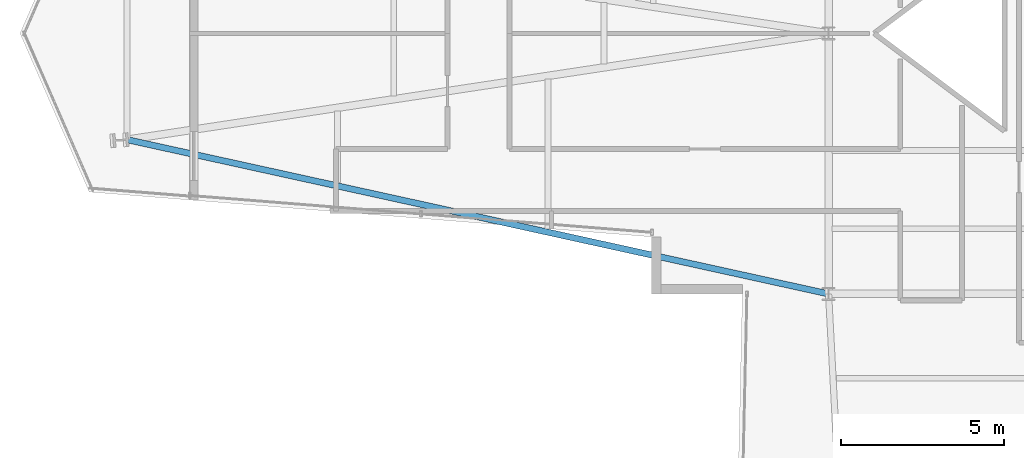
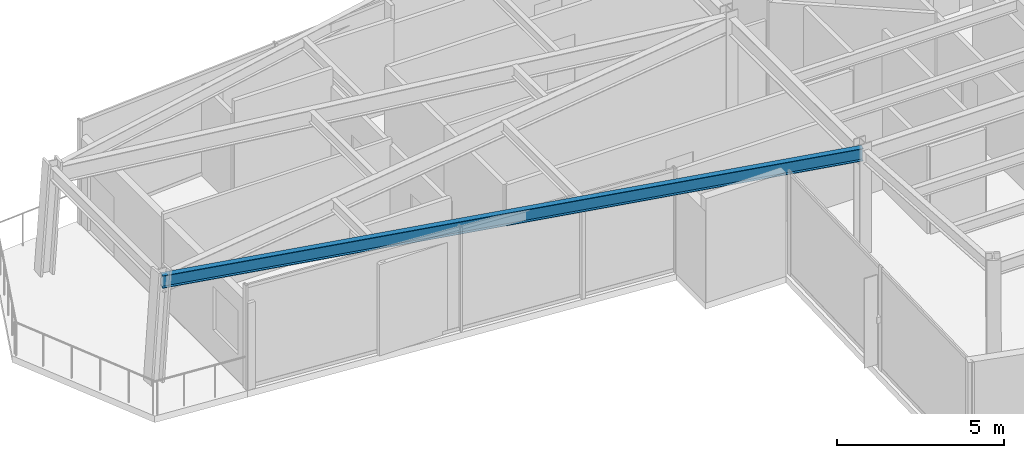
# One storey, part 3 of 26: 1 beam.
"""IFC4 building model written with IfcOpenShell, lengths in metres."""

import ifcopenshell
import ifcopenshell.guid

model = None  # the IFC model being written
_history = None  # IfcOwnerHistory: only IFC2X3 demands one
_inside = {}  # id of a spatial element -> (the spatial element, [elements in it])
_under = {}  # id of a project, library or spatial element -> (it, [spatial elements below it])
_declared = {}  # id of a project -> (the project, [libraries it declares])
_typed = {}  # id of a type object -> (the type object, [elements of that type])
_made_of = {}  # id of a material, layer set ... -> (it, [elements and type objects made of it])


def new_model(schema):
    """Start an empty IFC model of exactly this schema.

    Asked for "IFC4X3", IfcOpenShell would pick the latest addendum, in which some entities
    have other attributes; the version numbers below select the first issue.
    IFC2X3 requires an IfcOwnerHistory on every rooted entity: one is made here for all.
    """
    global model, _history
    if schema == "IFC4X3":
        model = ifcopenshell.file(schema_version=(4, 3, 0, 0))
    else:
        model = ifcopenshell.file(schema=schema)
    _inside.clear()
    _under.clear()
    _declared.clear()
    _typed.clear()
    _made_of.clear()
    _history = None
    if model.schema == "IFC2X3":
        org = make("IfcOrganization", Name="unknown")
        user = make(
            "IfcPersonAndOrganization",
            ThePerson=make("IfcPerson", FamilyName="unknown"),
            TheOrganization=org,
        )
        app = make(
            "IfcApplication",
            ApplicationDeveloper=org,
            Version="unknown",
            ApplicationFullName="unknown",
            ApplicationIdentifier="unknown",
        )
        _history = make(
            "IfcOwnerHistory",
            OwningUser=user,
            OwningApplication=app,
            ChangeAction="ADDED",
            CreationDate=0,
        )
    return model


def make(cls, **values):
    """One entity of the class cls with the attributes given. An attribute that is None is left unset."""
    return model.create_entity(
        cls, **{name: value for name, value in values.items() if value is not None}
    )


def rooted(cls, **values):
    """An entity with a GlobalId (a new one), such as an element, a storey or a relation."""
    return make(cls, GlobalId=ifcopenshell.guid.new(), OwnerHistory=_history, **values)


def si_unit(unit_type, name, prefix=None):
    """IfcSIUnit, for example si_unit("LENGTHUNIT", "METRE", prefix="MILLI")."""
    return make("IfcSIUnit", UnitType=unit_type, Prefix=prefix, Name=name)


def assignment(units):
    """IfcUnitAssignment: the units of a project."""
    return None if units is None else make("IfcUnitAssignment", Units=units)


def point(xyz):
    """IfcCartesianPoint."""
    return None if xyz is None else make("IfcCartesianPoint", Coordinates=xyz)


def direction(xyz):
    """IfcDirection."""
    return None if xyz is None else make("IfcDirection", DirectionRatios=xyz)


def frame(location, z_axis=None, x_axis=None):
    """IfcAxis2Placement3D, a coordinate frame: its origin and axes. An axis left out is left unset."""
    return make(
        "IfcAxis2Placement3D",
        Location=point(location),
        Axis=direction(z_axis),
        RefDirection=direction(x_axis),
    )


def frame_2d(location, x_axis=None):
    """IfcAxis2Placement2D, a coordinate frame in the plane: its origin and x axis."""
    return make(
        "IfcAxis2Placement2D", Location=point(location), RefDirection=direction(x_axis)
    )


def origin():
    """The frame at (0, 0, 0) with its axes left unset."""
    return frame((0.0, 0.0, 0.0))


def origin_2d():
    """The frame at (0, 0) in the plane with its x axis left unset."""
    return frame_2d((0.0, 0.0))


def place(relative_to, where):
    """IfcLocalPlacement: puts the frame where relative to a parent placement (None: the world)."""
    return make(
        "IfcLocalPlacement", PlacementRelTo=relative_to, RelativePlacement=where
    )


def context(
    kind, dimensions, precision=None, world=None, true_north=None, identifier=None
):
    """IfcGeometricRepresentationContext, for example the 3D "Model" context."""
    return make(
        "IfcGeometricRepresentationContext",
        ContextIdentifier=identifier,
        ContextType=kind,
        CoordinateSpaceDimension=dimensions,
        Precision=precision,
        WorldCoordinateSystem=world,
        TrueNorth=true_north,
    )


def subcontext(parent, identifier, kind, view, scale=None):
    """IfcGeometricRepresentationSubContext, for example "Body" below "Model"."""
    return make(
        "IfcGeometricRepresentationSubContext",
        ContextIdentifier=identifier,
        ContextType=kind,
        ParentContext=parent,
        TargetScale=scale,
        TargetView=view,
    )


def project(units=None, contexts=None):
    """IfcProject with its units and contexts."""
    return rooted(
        "IfcProject",
        Name="project",
        RepresentationContexts=contexts,
        UnitsInContext=assignment(units),
    )


def spatial(cls, under=None, at=None, **own):
    """A site, building, storey or space (cls), placed at a placement, below another one or the project."""
    s = rooted(cls, ObjectPlacement=at, **own)
    if under is not None:
        _under.setdefault(under.id(), (under, []))[1].append(s)
    return s


def profile(cls, at=None, kind="AREA", **sizes):
    """A parametric profile (cls). Its sizes go by their IFC names, for example OverallWidth=200.0."""
    return make(cls, ProfileType=kind, Position=at, **sizes)


def i_section(**sizes):
    """IfcIShapeProfileDef."""
    return profile("IfcIShapeProfileDef", **sizes)


def extrude(swept, where, along, depth):
    """IfcExtrudedAreaSolid: the profile swept, set in the frame where, extruded along a direction by depth."""
    return make(
        "IfcExtrudedAreaSolid",
        SweptArea=swept,
        Position=where,
        ExtrudedDirection=direction(along),
        Depth=depth,
    )


def shape(context_of_items, identifier, shape_type, items):
    """IfcShapeRepresentation: the items that make up one representation, for example the "Body"."""
    return make(
        "IfcShapeRepresentation",
        ContextOfItems=context_of_items,
        RepresentationIdentifier=identifier,
        RepresentationType=shape_type,
        Items=items,
    )


def material(Name=None, Category=None):
    """IfcMaterial."""
    return make("IfcMaterial", Name=Name, Category=Category)


def material_profile(
    of_material, cross_section, Name=None, Category=None, Priority=None
):
    """IfcMaterialProfile: a cross section and its material."""
    return make(
        "IfcMaterialProfile",
        Name=Name,
        Material=of_material,
        Profile=cross_section,
        Priority=Priority,
        Category=Category,
    )


def profile_set(profiles, Name=None, composite=None):
    """IfcMaterialProfileSet."""
    return make(
        "IfcMaterialProfileSet",
        Name=Name,
        MaterialProfiles=profiles,
        CompositeProfile=composite,
    )


def made_of(thing, what):
    """Note that an element or type object is made of a material, layer set ...; save() writes the relation."""
    if what is not None:
        _made_of.setdefault(what.id(), (what, []))[1].append(thing)
    return thing


def type_object(cls, material=None, **own):
    """A type object (cls), such as IfcWallType, which elements share."""
    return made_of(rooted(cls, **own), material)


def element(
    cls,
    number,
    at=None,
    inside=None,
    cuts=None,
    type_object=None,
    material=None,
    context=None,
    identifier="Body",
    shape_type=None,
    held_by="IfcProductDefinitionShape",
    body=None,
    shapes=None,
    **own,
):
    """One element of the class cls, such as IfcWall. Its Tag is "e" and its number.

    at: its placement. inside: the storey or other place that contains it. cuts: it is an
    opening in that element (IfcRelVoidsElement). A single representation is given by context,
    identifier, shape_type and body (its items); several are given by shapes. held_by: the class
    of the entity that holds the representations. save() writes the other relations.
    """
    e = rooted(cls, Tag="e%d" % number, ObjectPlacement=at, **own)
    if body is not None:
        shapes = [shape(context, identifier, shape_type, body)]
    if shapes is not None:
        e.Representation = make(held_by, Representations=shapes)
    if inside is not None:
        _inside.setdefault(inside.id(), (inside, []))[1].append(e)
    if cuts is not None:
        rooted(
            "IfcRelVoidsElement", RelatingBuildingElement=cuts, RelatedOpeningElement=e
        )
    if type_object is not None:
        _typed.setdefault(type_object.id(), (type_object, []))[1].append(e)
    return made_of(e, material)


def aggregate(whole, parts):
    """IfcRelAggregates: a whole, such as a stair, and the parts it consists of."""
    return rooted("IfcRelAggregates", RelatingObject=whole, RelatedObjects=parts)


def save(model, path):
    """Write the relations noted so far, then the file.

    IfcRelAggregates (storeys below a building ...), IfcRelContainedInSpatialStructure (elements
    in a storey), IfcRelDefinesByType, IfcRelAssociatesMaterial and IfcRelDeclares: one each for
    every whole, place, type object, material and project.
    """
    for whole, parts in _under.values():
        aggregate(whole, parts)
    for where, things in _inside.values():
        rooted(
            "IfcRelContainedInSpatialStructure",
            RelatedElements=things,
            RelatingStructure=where,
        )
    for kind, things in _typed.values():
        rooted("IfcRelDefinesByType", RelatedObjects=things, RelatingType=kind)
    for what, things in _made_of.values():
        rooted("IfcRelAssociatesMaterial", RelatedObjects=things, RelatingMaterial=what)
    for by, libraries in _declared.values():
        rooted("IfcRelDeclares", RelatingContext=by, RelatedDefinitions=libraries)
    model.write(path)


model = new_model("IFC4")

# Units and contexts
model_context = context("Model", 3, precision=1e-05, world=origin(), true_north=direction((0.0, 1.0)))
body_context = subcontext(model_context, "Body", "Model", "MODEL_VIEW")
ifc_project = project(units=[si_unit("LENGTHUNIT", "METRE"), si_unit("AREAUNIT", "SQUARE_METRE"), si_unit("VOLUMEUNIT", "CUBIC_METRE"), si_unit("PLANEANGLEUNIT", "RADIAN"), si_unit("MASSUNIT", "GRAM", prefix="KILO")], contexts=[model_context])

# Site, building, storey
site_placement = place(None, origin())
site = spatial("IfcSite", under=ifc_project, at=site_placement, CompositionType="ELEMENT")
building_placement = place(site_placement, origin())
building = spatial("IfcBuilding", under=site, at=building_placement, Name="Veymaron Broadcast Tower", CompositionType="ELEMENT")
storey_placement = place(building_placement, frame((0.0, 0.0, 90.449951171875)))
storey = spatial("IfcBuildingStorey", under=building, at=storey_placement, Name="L20", CompositionType="ELEMENT", Elevation=90.449951171875)

# Beam
ifc_material = material(Name="Structural steel ASTM A992 Gr 50", Category="steel")
ifc_material_profile = material_profile(ifc_material, i_section(OverallWidth=0.19091796875, OverallDepth=0.4599609375, WebThickness=0.010009765625, FlangeThickness=0.01611328125, at=origin_2d()), Name="W460X82")
ifc_profile_set = profile_set([ifc_material_profile], Name="Structural steel ASTM A992 Gr 50")
beam_type = type_object("IfcBeamType", Name="BM-SP1", PredefinedType="SPANDREL", material=ifc_profile_set)
beam_placement = place(storey_placement, frame((9.6630859375, 20.735107421875, 3.580078125), z_axis=(0.976673034469, -0.214731888041, 0.0), x_axis=(0.214731888041, 0.976673034469, 0.0)))
element("IfcBeam", 1, at=beam_placement, inside=storey, type_object=beam_type, Name="L20 primary structural floor girder", PredefinedType="SPANDREL", context=body_context, shape_type="SweptSolid", body=[
    extrude(i_section(OverallWidth=0.19091796875, OverallDepth=0.4599609375, WebThickness=0.010009765625, FlangeThickness=0.01611328125, at=origin_2d()), origin(), (0.0, 0.0, 1.0), 22.05126953125),
])

save(model, "model.ifc")
